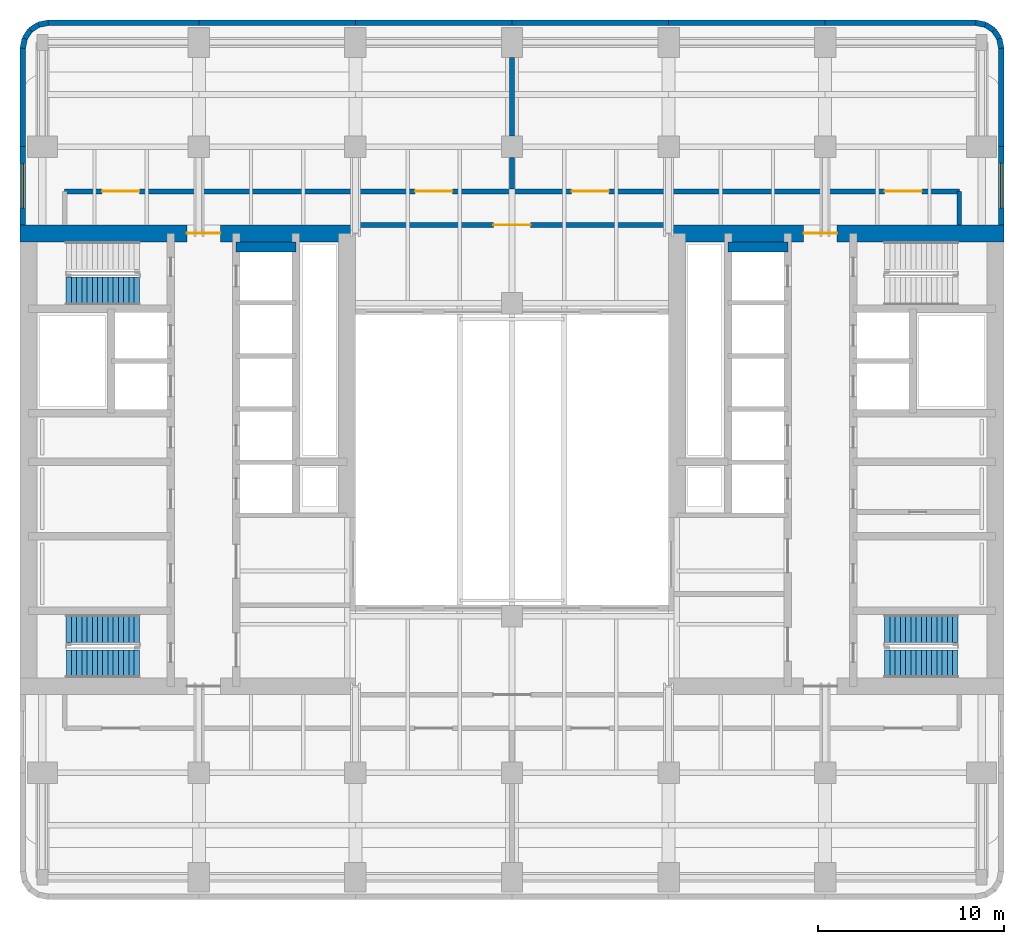
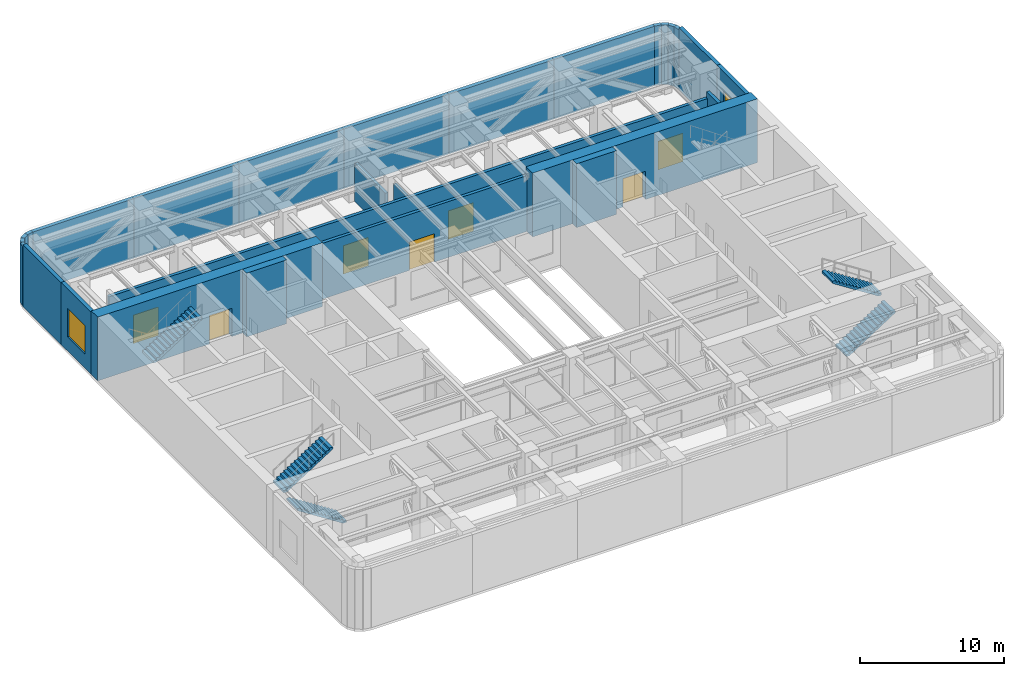
# One storey, part 6 of 10: 27 walls, 7 doors, 5 stair flights, 2 windows, 9 openings, 3 elements without a shape of their own.
"""IFC4 building model written with IfcOpenShell, lengths in metres."""

from ifc_helpers import new_model, si_unit, direction, frame, frame_2d, origin, place, context, subcontext, project, spatial, polyline, rectangle, outline, extrude, material, layer, layer_set, type_object, element, fill, aggregate, save


model = new_model("IFC4")

# Units and contexts
model_context = context("Model", 3, precision=1e-05, world=origin(), true_north=direction((0.0, 1.0)))
body_context = subcontext(model_context, "Body", "Model", "MODEL_VIEW")
ifc_project = project(units=[si_unit("LENGTHUNIT", "METRE"), si_unit("AREAUNIT", "SQUARE_METRE"), si_unit("VOLUMEUNIT", "CUBIC_METRE"), si_unit("PLANEANGLEUNIT", "RADIAN"), si_unit("MASSUNIT", "GRAM", prefix="KILO")], contexts=[model_context])

# Site, building, storey
site_placement = place(None, origin())
site = spatial("IfcSite", under=ifc_project, at=site_placement, CompositionType="ELEMENT")
building_placement = place(site_placement, origin())
building = spatial("IfcBuilding", under=site, at=building_placement, Name="Claustro Exchange Tower", CompositionType="ELEMENT")
storey_placement = place(building_placement, frame((0.0, 0.0, 168.0)))
storey = spatial("IfcBuildingStorey", under=building, at=storey_placement, Name="L38", CompositionType="ELEMENT", Elevation=168.0)

# Wall, openings, doors
ifc_material_1 = material(Name="Concrete blockwork, rendered", Category="masonry")
ifc_layer_1 = layer(ifc_material_1, 0.25)
ifc_layer_set_1 = layer_set([ifc_layer_1], Name="Concrete blockwork, rendered")
wall_type_1 = type_object("IfcWallType", Name="P4 250 blockwork wall", PredefinedType="PARTITIONING", material=ifc_layer_set_1)
wall_1_placement = place(storey_placement, frame((1.199951171875, 39.60009765625, 0.0), z_axis=(0.0, 0.0, 1.0), x_axis=(1.0, 0.0, 0.0)))
wall_1 = element("IfcWall", 1, at=wall_1_placement, inside=storey, type_object=wall_type_1, Name="Partition P4 L38", PredefinedType="PARTITIONING", context=body_context, shape_type="SweptSolid", body=[
    extrude(rectangle(XDim=48.0, YDim=0.25, at=frame_2d((24.0, 0.0))), origin(), (0.0, 0.0, 1.0), 4.72509765625),
])
opening_1_placement = place(wall_1_placement, frame((2.0, 0.0, 0.0)))
opening_1 = element("IfcOpeningElement", 2, at=opening_1_placement, cuts=wall_1, Name="Opening D9", PredefinedType="OPENING", context=body_context, shape_type="SweptSolid", body=[
    extrude(rectangle(XDim=2.0, YDim=2.39990234375, at=frame_2d((1.0, 1.199951171875))), frame((0.0, 0.135009765625, 0.0), z_axis=(0.0, -1.0, 0.0), x_axis=(1.0, 0.0, 0.0)), (0.0, 0.0, 1.0), 0.27001953125),
])
opening_2_placement = place(wall_1_placement, frame((18.800048828125, 0.0, 0.0)))
opening_2 = element("IfcOpeningElement", 3, at=opening_2_placement, cuts=wall_1, Name="Opening D9", PredefinedType="OPENING", context=body_context, shape_type="SweptSolid", body=[
    extrude(rectangle(XDim=2.0, YDim=2.39990234375, at=frame_2d((1.0, 1.199951171875))), frame((0.0, 0.135009765625, 0.0), z_axis=(0.0, -1.0, 0.0), x_axis=(1.0, 0.0, 0.0)), (0.0, 0.0, 1.0), 0.27001953125),
])
opening_3_placement = place(wall_1_placement, frame((27.199951171875, 0.0, 0.0)))
opening_3 = element("IfcOpeningElement", 4, at=opening_3_placement, cuts=wall_1, Name="Opening D9", PredefinedType="OPENING", context=body_context, shape_type="SweptSolid", body=[
    extrude(rectangle(XDim=2.0, YDim=2.39990234375, at=frame_2d((1.0, 1.199951171875))), frame((0.0, 0.135009765625, 0.0), z_axis=(0.0, -1.0, 0.0), x_axis=(1.0, 0.0, 0.0)), (0.0, 0.0, 1.0), 0.27001953125),
])
opening_4_placement = place(wall_1_placement, frame((44.0, 0.0, 0.0)))
opening_4 = element("IfcOpeningElement", 5, at=opening_4_placement, cuts=wall_1, Name="Opening D9", PredefinedType="OPENING", context=body_context, shape_type="SweptSolid", body=[
    extrude(rectangle(XDim=2.0, YDim=2.39990234375, at=frame_2d((1.0, 1.199951171875))), frame((0.0, 0.135009765625, 0.0), z_axis=(0.0, -1.0, 0.0), x_axis=(1.0, 0.0, 0.0)), (0.0, 0.0, 1.0), 0.27001953125),
])
ifc_material_2 = material(Name="Steel fire door, painted", Category="steel")
door_type_1 = type_object("IfcDoorType", Name="D9 2000 x 2400 plant room double door", OperationType="DOUBLE_DOOR_SINGLE_SWING", PredefinedType="DOOR", material=ifc_material_2)
door_1_placement = place(opening_1_placement, origin())
door_1 = element("IfcDoor", 6, at=door_1_placement, inside=storey, type_object=door_type_1, Name="Double door D9 L38", OperationType="DOUBLE_DOOR_SINGLE_SWING", OverallHeight=2.39990234375, OverallWidth=2.0, PredefinedType="DOOR", context=body_context, shape_type="SweptSolid", body=[
    extrude(rectangle(XDim=2.0, YDim=2.39990234375, at=frame_2d((1.0, 1.199951171875))), frame((0.0, 0.02490234375, 0.0), z_axis=(0.0, -1.0, 0.0), x_axis=(1.0, 0.0, 0.0)), (0.0, 0.0, 1.0), 0.050048828125),
])
fill(opening_1, door_1)
door_2_placement = place(opening_2_placement, origin())
door_2 = element("IfcDoor", 7, at=door_2_placement, inside=storey, type_object=door_type_1, Name="Double door D9 L38", OperationType="DOUBLE_DOOR_SINGLE_SWING", OverallHeight=2.39990234375, OverallWidth=2.0, PredefinedType="DOOR", context=body_context, shape_type="SweptSolid", body=[
    extrude(rectangle(XDim=2.0, YDim=2.39990234375, at=frame_2d((1.0, 1.199951171875))), frame((0.0, 0.02490234375, 0.0), z_axis=(0.0, -1.0, 0.0), x_axis=(1.0, 0.0, 0.0)), (0.0, 0.0, 1.0), 0.050048828125),
])
fill(opening_2, door_2)
door_3_placement = place(opening_3_placement, origin())
door_3 = element("IfcDoor", 8, at=door_3_placement, inside=storey, type_object=door_type_1, Name="Double door D9 L38", OperationType="DOUBLE_DOOR_SINGLE_SWING", OverallHeight=2.39990234375, OverallWidth=2.0, PredefinedType="DOOR", context=body_context, shape_type="SweptSolid", body=[
    extrude(rectangle(XDim=2.0, YDim=2.39990234375, at=frame_2d((1.0, 1.199951171875))), frame((0.0, 0.02490234375, 0.0), z_axis=(0.0, -1.0, 0.0), x_axis=(1.0, 0.0, 0.0)), (0.0, 0.0, 1.0), 0.050048828125),
])
fill(opening_3, door_3)
door_4_placement = place(opening_4_placement, origin())
door_4 = element("IfcDoor", 9, at=door_4_placement, inside=storey, type_object=door_type_1, Name="Double door D9 L38", OperationType="DOUBLE_DOOR_SINGLE_SWING", OverallHeight=2.39990234375, OverallWidth=2.0, PredefinedType="DOOR", context=body_context, shape_type="SweptSolid", body=[
    extrude(rectangle(XDim=2.0, YDim=2.39990234375, at=frame_2d((1.0, 1.199951171875))), frame((0.0, 0.02490234375, 0.0), z_axis=(0.0, -1.0, 0.0), x_axis=(1.0, 0.0, 0.0)), (0.0, 0.0, 1.0), 0.050048828125),
])
fill(opening_4, door_4)

# Walls
wall_2_placement = place(storey_placement, frame((49.199951171875, 37.800048828125, 0.0), z_axis=(0.0, 0.0, 1.0), x_axis=(0.0, 1.0, 0.0)))
element("IfcWall", 10, at=wall_2_placement, inside=storey, type_object=wall_type_1, Name="Partition P4 L38", PredefinedType="PARTITIONING", context=body_context, shape_type="SweptSolid", body=[
    extrude(rectangle(XDim=1.800048828125, YDim=0.25, at=frame_2d((0.89990234375, 0.0))), origin(), (0.0, 0.0, 1.0), 5.25),
])
wall_3_placement = place(storey_placement, frame((25.199951171875, 39.72412109375, 0.0), z_axis=(0.0, 0.0, 1.0), x_axis=(0.0, 1.0, 0.0)))
element("IfcWall", 11, at=wall_3_placement, inside=storey, type_object=wall_type_1, Name="Partition P4 L38", PredefinedType="PARTITIONING", context=body_context, shape_type="SweptSolid", body=[
    extrude(rectangle(XDim=1.701904296875, YDim=0.25, at=frame_2d((0.85107421875, 0.0))), origin(), (0.0, 0.0, 1.0), 4.75),
])
wall_4_placement = place(storey_placement, frame((25.199951171875, 42.573974609375, 0.0), z_axis=(0.0, 0.0, 1.0), x_axis=(0.0, 1.0, 0.0)))
element("IfcWall", 12, at=wall_4_placement, inside=storey, type_object=wall_type_1, Name="Partition P4 L38", PredefinedType="PARTITIONING", context=body_context, shape_type="SweptSolid", body=[
    extrude(rectangle(XDim=4.22705078125, YDim=0.25, at=frame_2d((2.113525390625, 0.0))), origin(), (0.0, 0.0, 1.0), 3.239990234375),
])

# Wall, opening, door
wall_5_placement = place(storey_placement, frame((16.798095703125, 37.800048828125, 0.0), z_axis=(0.0, 0.0, 1.0), x_axis=(1.0, 0.0, 0.0)))
wall_5 = element("IfcWall", 13, at=wall_5_placement, inside=storey, type_object=wall_type_1, Name="Partition P4 L38", PredefinedType="PARTITIONING", context=body_context, shape_type="SweptSolid", body=[
    extrude(rectangle(XDim=16.803955078125, YDim=0.25, at=frame_2d((8.40185546875, 0.0))), origin(), (0.0, 0.0, 1.0), 4.72509765625),
])
opening_5_placement = place(wall_5_placement, frame((7.402099609375, 0.0, 0.0)))
opening_5 = element("IfcOpeningElement", 14, at=opening_5_placement, cuts=wall_5, Name="Opening D9", PredefinedType="OPENING", context=body_context, shape_type="SweptSolid", body=[
    extrude(rectangle(XDim=2.0, YDim=2.39990234375, at=frame_2d((1.0, 1.199951171875))), frame((0.0, 0.135009765625, 0.0), z_axis=(0.0, -1.0, 0.0), x_axis=(1.0, 0.0, 0.0)), (0.0, 0.0, 1.0), 0.27001953125),
])
door_5_placement = place(opening_5_placement, origin())
door_5 = element("IfcDoor", 15, at=door_5_placement, inside=storey, type_object=door_type_1, Name="Double door D9 L38", OperationType="DOUBLE_DOOR_SINGLE_SWING", OverallHeight=2.39990234375, OverallWidth=2.0, PredefinedType="DOOR", context=body_context, shape_type="SweptSolid", body=[
    extrude(rectangle(XDim=2.0, YDim=2.39990234375, at=frame_2d((1.0, 1.199951171875))), frame((0.0, 0.02490234375, 0.0), z_axis=(0.0, -1.0, 0.0), x_axis=(1.0, 0.0, 0.0)), (0.0, 0.0, 1.0), 0.050048828125),
])
fill(opening_5, door_5)

# Wall, opening, window
ifc_material_3 = material(Name="Concrete HA-40 (C40/50), precast, white cement, acid-etched", Category="concrete")
ifc_layer_2 = layer(ifc_material_3, 0.300048828125)
ifc_layer_set_2 = layer_set([ifc_layer_2], Name="Concrete HA-40 (C40/50), precast, white cement, acid-etched")
wall_type_2 = type_object("IfcWallType", Name="PC1 300 precast concrete pier panel", PredefinedType="SOLIDWALL", material=ifc_layer_set_2)
wall_6_placement = place(storey_placement, frame((-1.050048828125, 37.800048828125, 0.0), z_axis=(0.0, 0.0, 1.0), x_axis=(0.0, 1.0, 0.0)))
wall_6 = element("IfcWall", 16, at=wall_6_placement, inside=storey, type_object=wall_type_2, Name="Precast pier panel PC1 L38", PredefinedType="SOLIDWALL", context=body_context, shape_type="SweptSolid", body=[
    extrude(rectangle(XDim=4.199951171875, YDim=0.300048828125, at=frame_2d((2.10009765625, 0.0))), origin(), (0.0, 0.0, 1.0), 5.25),
])
opening_6_placement = place(wall_6_placement, frame((0.89990234375, 0.0, 1.199951171875)))
opening_6 = element("IfcOpeningElement", 17, at=opening_6_placement, cuts=wall_6, Name="Opening L2", PredefinedType="OPENING", context=body_context, shape_type="SweptSolid", body=[
    extrude(rectangle(XDim=2.39990234375, YDim=2.39990234375, at=frame_2d((1.199951171875, 1.199951171875))), frame((0.0, 0.159912109375, 0.0), z_axis=(0.0, -1.0, 0.0), x_axis=(1.0, 0.0, 0.0)), (0.0, 0.0, 1.0), 0.320068359375),
])
ifc_material_4 = material(Name="Aluminium louvre blades", Category="aluminium")
window_type = type_object("IfcWindowType", Name="L2 2400 x 2400 plant louvre", PartitioningType="SINGLE_PANEL", PredefinedType="USERDEFINED", material=ifc_material_4)
window_1_placement = place(opening_6_placement, origin())
window_1 = element("IfcWindow", 18, at=window_1_placement, inside=storey, type_object=window_type, Name="Plant louvre L2 L38", ObjectType="LOUVRE", OverallHeight=2.39990234375, OverallWidth=2.39990234375, PartitioningType="SINGLE_PANEL", PredefinedType="USERDEFINED", context=body_context, shape_type="SweptSolid", body=[
    extrude(rectangle(XDim=2.39990234375, YDim=2.39990234375, at=frame_2d((1.199951171875, 1.199951171875))), frame((0.0, 0.030029296875, 0.0), z_axis=(0.0, -1.0, 0.0), x_axis=(1.0, 0.0, 0.0)), (0.0, 0.0, 1.0), 0.06005859375),
])
fill(opening_6, window_1)

# Walls
wall_7_placement = place(storey_placement, frame((-1.050048828125, 42.0, 0.0), z_axis=(0.0, 0.0, 1.0), x_axis=(0.0, 1.0, 0.0)))
element("IfcWall", 19, at=wall_7_placement, inside=storey, type_object=wall_type_2, Name="Precast pier panel PC1 L38", PredefinedType="SOLIDWALL", context=body_context, shape_type="SweptSolid", body=[
    extrude(rectangle(XDim=5.28515625, YDim=0.300048828125, at=frame_2d((2.642578125, 0.0))), origin(), (0.0, 0.0, 1.0), 5.239990234375),
])
wall_8_placement = place(storey_placement, frame((-1.050048828125, 47.28515625, 0.0), z_axis=(0.0, 0.0, 1.0), x_axis=(0.195073962632, 0.980788534345, 0.0)))
element("IfcWall", 20, at=wall_8_placement, inside=storey, type_object=wall_type_2, Name="Precast pier panel PC1 L38", PredefinedType="SOLIDWALL", context=body_context, shape_type="SweptSolid", body=[
    extrude(rectangle(XDim=0.540771484375, YDim=0.300048828125, at=frame_2d((0.2705078125, 0.0))), origin(), (0.0, 0.0, 1.0), 5.0400390625),
])
wall_9_placement = place(storey_placement, frame((-0.944580078125, 47.8154296875, 0.0), z_axis=(0.0, 0.0, 1.0), x_axis=(0.55534295404, 0.831621430339, 0.0)))
element("IfcWall", 21, at=wall_9_placement, inside=storey, type_object=wall_type_2, Name="Precast pier panel PC1 L38", PredefinedType="SOLIDWALL", context=body_context, shape_type="SweptSolid", body=[
    extrude(rectangle(XDim=0.52587890625, YDim=0.300048828125, at=frame_2d((0.262939453125, 0.0))), origin(), (0.0, 0.0, 1.0), 5.0400390625),
])
wall_10_placement = place(storey_placement, frame((-0.652587890625, 48.252685546875, 0.0), z_axis=(0.0, 0.0, 1.0), x_axis=(0.831692711774, 0.555236195849, 0.0)))
element("IfcWall", 22, at=wall_10_placement, inside=storey, type_object=wall_type_2, Name="Precast pier panel PC1 L38", PredefinedType="SOLIDWALL", context=body_context, shape_type="SweptSolid", body=[
    extrude(rectangle(XDim=0.525390625, YDim=0.300048828125, at=frame_2d((0.2626953125, 0.0))), origin(), (0.0, 0.0, 1.0), 5.0400390625),
])
wall_11_placement = place(storey_placement, frame((-0.215576171875, 48.54443359375, 0.0), z_axis=(0.0, 0.0, 1.0), x_axis=(0.980788534345, 0.195073962632, 0.0)))
element("IfcWall", 23, at=wall_11_placement, inside=storey, type_object=wall_type_2, Name="Precast pier panel PC1 L38", PredefinedType="SOLIDWALL", context=body_context, shape_type="SweptSolid", body=[
    extrude(rectangle(XDim=0.540771484375, YDim=0.300048828125, at=frame_2d((0.2705078125, 0.0))), origin(), (0.0, 0.0, 1.0), 5.0400390625),
])
wall_12_placement = place(storey_placement, frame((0.314697265625, 48.64990234375, 0.0), z_axis=(0.0, 0.0, 1.0), x_axis=(1.0, 0.0, 0.0)))
element("IfcWall", 24, at=wall_12_placement, inside=storey, type_object=wall_type_2, Name="Precast pier panel PC1 L38", PredefinedType="SOLIDWALL", context=body_context, shape_type="SweptSolid", body=[
    extrude(rectangle(XDim=8.085205078125, YDim=0.300048828125, at=frame_2d((4.04248046875, 0.0))), origin(), (0.0, 0.0, 1.0), 5.0400390625),
])
wall_13_placement = place(storey_placement, frame((8.39990234375, 48.64990234375, 0.0), z_axis=(0.0, 0.0, 1.0), x_axis=(1.0, 0.0, 0.0)))
element("IfcWall", 25, at=wall_13_placement, inside=storey, type_object=wall_type_2, Name="Precast pier panel PC1 L38", PredefinedType="SOLIDWALL", context=body_context, shape_type="SweptSolid", body=[
    extrude(rectangle(XDim=8.400146484375, YDim=0.300048828125, at=frame_2d((4.2001953125, 0.0))), origin(), (0.0, 0.0, 1.0), 5.0400390625),
])
wall_14_placement = place(storey_placement, frame((16.800048828125, 48.64990234375, 0.0), z_axis=(0.0, 0.0, 1.0), x_axis=(1.0, 0.0, 0.0)))
element("IfcWall", 26, at=wall_14_placement, inside=storey, type_object=wall_type_2, Name="Precast pier panel PC1 L38", PredefinedType="SOLIDWALL", context=body_context, shape_type="SweptSolid", body=[
    extrude(rectangle(XDim=8.39990234375, YDim=0.300048828125, at=frame_2d((4.199951171875, 0.0))), origin(), (0.0, 0.0, 1.0), 5.0400390625),
])
wall_15_placement = place(storey_placement, frame((25.199951171875, 48.64990234375, 0.0), z_axis=(0.0, 0.0, 1.0), x_axis=(1.0, 0.0, 0.0)))
element("IfcWall", 27, at=wall_15_placement, inside=storey, type_object=wall_type_2, Name="Precast pier panel PC1 L38", PredefinedType="SOLIDWALL", context=body_context, shape_type="SweptSolid", body=[
    extrude(rectangle(XDim=8.400146484375, YDim=0.300048828125, at=frame_2d((4.2001953125, 0.0))), origin(), (0.0, 0.0, 1.0), 5.0400390625),
])
wall_16_placement = place(storey_placement, frame((33.60009765625, 48.64990234375, 0.0), z_axis=(0.0, 0.0, 1.0), x_axis=(1.0, 0.0, 0.0)))
element("IfcWall", 28, at=wall_16_placement, inside=storey, type_object=wall_type_2, Name="Precast pier panel PC1 L38", PredefinedType="SOLIDWALL", context=body_context, shape_type="SweptSolid", body=[
    extrude(rectangle(XDim=8.39990234375, YDim=0.300048828125, at=frame_2d((4.199951171875, 0.0))), origin(), (0.0, 0.0, 1.0), 5.0400390625),
])
wall_17_placement = place(storey_placement, frame((42.0, 48.64990234375, 0.0), z_axis=(0.0, 0.0, 1.0), x_axis=(1.0, 0.0, 0.0)))
element("IfcWall", 29, at=wall_17_placement, inside=storey, type_object=wall_type_2, Name="Precast pier panel PC1 L38", PredefinedType="SOLIDWALL", context=body_context, shape_type="SweptSolid", body=[
    extrude(rectangle(XDim=8.085205078125, YDim=0.300048828125, at=frame_2d((4.04248046875, 0.0))), origin(), (0.0, 0.0, 1.0), 5.0400390625),
])
wall_18_placement = place(storey_placement, frame((50.085205078125, 48.64990234375, 0.0), z_axis=(0.0, 0.0, 1.0), x_axis=(0.980788534345, -0.195073962632, 0.0)))
element("IfcWall", 30, at=wall_18_placement, inside=storey, type_object=wall_type_2, Name="Precast pier panel PC1 L38", PredefinedType="SOLIDWALL", context=body_context, shape_type="SweptSolid", body=[
    extrude(rectangle(XDim=0.540771484375, YDim=0.300048828125, at=frame_2d((0.2705078125, 0.0))), origin(), (0.0, 0.0, 1.0), 5.0400390625),
])
wall_19_placement = place(storey_placement, frame((50.615478515625, 48.54443359375, 0.0), z_axis=(0.0, 0.0, 1.0), x_axis=(0.831692711774, -0.555236195849, 0.0)))
element("IfcWall", 31, at=wall_19_placement, inside=storey, type_object=wall_type_2, Name="Precast pier panel PC1 L38", PredefinedType="SOLIDWALL", context=body_context, shape_type="SweptSolid", body=[
    extrude(rectangle(XDim=0.525390625, YDim=0.300048828125, at=frame_2d((0.2626953125, 0.0))), origin(), (0.0, 0.0, 1.0), 5.0400390625),
])
wall_20_placement = place(storey_placement, frame((51.052490234375, 48.252685546875, 0.0), z_axis=(0.0, 0.0, 1.0), x_axis=(0.55534295404, -0.831621430339, 0.0)))
element("IfcWall", 32, at=wall_20_placement, inside=storey, type_object=wall_type_2, Name="Precast pier panel PC1 L38", PredefinedType="SOLIDWALL", context=body_context, shape_type="SweptSolid", body=[
    extrude(rectangle(XDim=0.52587890625, YDim=0.300048828125, at=frame_2d((0.262939453125, 0.0))), origin(), (0.0, 0.0, 1.0), 5.0400390625),
])
wall_21_placement = place(storey_placement, frame((51.344482421875, 47.8154296875, 0.0), z_axis=(0.0, 0.0, 1.0), x_axis=(0.195073962632, -0.980788534345, 0.0)))
element("IfcWall", 33, at=wall_21_placement, inside=storey, type_object=wall_type_2, Name="Precast pier panel PC1 L38", PredefinedType="SOLIDWALL", context=body_context, shape_type="SweptSolid", body=[
    extrude(rectangle(XDim=0.540771484375, YDim=0.300048828125, at=frame_2d((0.2705078125, 0.0))), origin(), (0.0, 0.0, 1.0), 5.0400390625),
])
wall_22_placement = place(storey_placement, frame((51.449951171875, 47.28515625, 0.0), z_axis=(0.0, 0.0, 1.0), x_axis=(0.0, -1.0, 0.0)))
element("IfcWall", 34, at=wall_22_placement, inside=storey, type_object=wall_type_2, Name="Precast pier panel PC1 L38", PredefinedType="SOLIDWALL", context=body_context, shape_type="SweptSolid", body=[
    extrude(rectangle(XDim=5.28515625, YDim=0.300048828125, at=frame_2d((2.642578125, 0.0))), origin(), (0.0, 0.0, 1.0), 5.239990234375),
])

# Wall, opening, window
wall_23_placement = place(storey_placement, frame((51.449951171875, 42.0, 0.0), z_axis=(0.0, 0.0, 1.0), x_axis=(0.0, -1.0, 0.0)))
wall_23 = element("IfcWall", 35, at=wall_23_placement, inside=storey, type_object=wall_type_2, Name="Precast pier panel PC1 L38", PredefinedType="SOLIDWALL", context=body_context, shape_type="SweptSolid", body=[
    extrude(rectangle(XDim=4.199951171875, YDim=0.300048828125, at=frame_2d((2.10009765625, 0.0))), origin(), (0.0, 0.0, 1.0), 5.25),
])
opening_7_placement = place(wall_23_placement, frame((0.89990234375, 0.0, 1.199951171875)))
opening_7 = element("IfcOpeningElement", 36, at=opening_7_placement, cuts=wall_23, Name="Opening L2", PredefinedType="OPENING", context=body_context, shape_type="SweptSolid", body=[
    extrude(rectangle(XDim=2.39990234375, YDim=2.39990234375, at=frame_2d((1.199951171875, 1.199951171875))), frame((0.0, 0.159912109375, 0.0), z_axis=(0.0, -1.0, 0.0), x_axis=(1.0, 0.0, 0.0)), (0.0, 0.0, 1.0), 0.320068359375),
])
window_2_placement = place(opening_7_placement, origin())
window_2 = element("IfcWindow", 37, at=window_2_placement, inside=storey, type_object=window_type, Name="Plant louvre L2 L38", ObjectType="LOUVRE", OverallHeight=2.39990234375, OverallWidth=2.39990234375, PartitioningType="SINGLE_PANEL", PredefinedType="USERDEFINED", context=body_context, shape_type="SweptSolid", body=[
    extrude(rectangle(XDim=2.39990234375, YDim=2.39990234375, at=frame_2d((1.199951171875, 1.199951171875))), frame((0.0, 0.030029296875, 0.0), z_axis=(0.0, -1.0, 0.0), x_axis=(1.0, 0.0, 0.0)), (0.0, 0.0, 1.0), 0.06005859375),
])
fill(opening_7, window_2)

# Wall, opening, door
ifc_material_5 = material(Name="Concrete HA-70 (C70/85)", Category="concrete")
ifc_layer_3 = layer(ifc_material_5, 0.89990234375)
ifc_layer_set_3 = layer_set([ifc_layer_3], Name="Concrete HA-70 (C70/85)")
wall_type_3 = type_object("IfcWallType", Name="SW1 900 core shear wall", PredefinedType="SHEAR", material=ifc_layer_set_3)
wall_24_placement = place(storey_placement, frame((-1.199951171875, 37.35009765625, 0.0), z_axis=(0.0, 0.0, 1.0), x_axis=(1.0, 0.0, 0.0)))
wall_24 = element("IfcWall", 38, at=wall_24_placement, inside=storey, type_object=wall_type_3, Name="Core wall SW1 W core N face L38", PredefinedType="SHEAR", context=body_context, shape_type="SweptSolid", body=[
    extrude(rectangle(XDim=18.0, YDim=0.89990234375, at=frame_2d((9.0, 0.0))), origin(), (0.0, 0.0, 1.0), 5.39990234375),
])
opening_8_placement = place(wall_24_placement, frame((8.949951171875, 0.0, 0.0)))
opening_8 = element("IfcOpeningElement", 39, at=opening_8_placement, cuts=wall_24, Name="Opening D3", PredefinedType="OPENING", context=body_context, shape_type="SweptSolid", body=[
    extrude(rectangle(XDim=1.800048828125, YDim=2.39990234375, at=frame_2d((0.89990234375, 1.199951171875))), frame((0.0, 0.4599609375, 0.0), z_axis=(0.0, -1.0, 0.0), x_axis=(1.0, 0.0, 0.0)), (0.0, 0.0, 1.0), 0.919921875),
])
ifc_material_6 = material(Name="Steel fire door, painted", Category="steel")
door_type_2 = type_object("IfcDoorType", Name="D3 1800 x 2400 fire-rated lobby double door", OperationType="DOUBLE_DOOR_SINGLE_SWING", PredefinedType="DOOR", material=ifc_material_6)
door_6_placement = place(opening_8_placement, frame((1.800048828125, 0.0, 0.0), z_axis=(0.0, 0.0, 1.0), x_axis=(-1.0, 0.0, 0.0)))
door_6 = element("IfcDoor", 40, at=door_6_placement, inside=storey, type_object=door_type_2, Name="Lift lobby door D3 L38", OperationType="DOUBLE_DOOR_SINGLE_SWING", OverallHeight=2.39990234375, OverallWidth=1.800048828125, PredefinedType="DOOR", context=body_context, shape_type="SweptSolid", body=[
    extrude(rectangle(XDim=1.800048828125, YDim=2.39990234375, at=frame_2d((0.89990234375, 1.199951171875))), frame((0.0, 0.02490234375, 0.0), z_axis=(0.0, -1.0, 0.0), x_axis=(1.0, 0.0, 0.0)), (0.0, 0.0, 1.0), 0.050048828125),
])
fill(opening_8, door_6)

wall_25_placement = place(storey_placement, frame((33.60009765625, 37.35009765625, 0.0), z_axis=(0.0, 0.0, 1.0), x_axis=(1.0, 0.0, 0.0)))
wall_25 = element("IfcWall", 41, at=wall_25_placement, inside=storey, type_object=wall_type_3, Name="Core wall SW1 E core N face L38", PredefinedType="SHEAR", context=body_context, shape_type="SweptSolid", body=[
    extrude(rectangle(XDim=18.0, YDim=0.89990234375, at=frame_2d((9.0, 0.0))), origin(), (0.0, 0.0, 1.0), 5.39990234375),
])
opening_9_placement = place(wall_25_placement, frame((7.25, 0.0, 0.0)))
opening_9 = element("IfcOpeningElement", 42, at=opening_9_placement, cuts=wall_25, Name="Opening D3", PredefinedType="OPENING", context=body_context, shape_type="SweptSolid", body=[
    extrude(rectangle(XDim=1.800048828125, YDim=2.39990234375, at=frame_2d((0.89990234375, 1.199951171875))), frame((0.0, 0.4599609375, 0.0), z_axis=(0.0, -1.0, 0.0), x_axis=(1.0, 0.0, 0.0)), (0.0, 0.0, 1.0), 0.919921875),
])
door_7_placement = place(opening_9_placement, frame((1.800048828125, 0.0, 0.0), z_axis=(0.0, 0.0, 1.0), x_axis=(-1.0, 0.0, 0.0)))
door_7 = element("IfcDoor", 43, at=door_7_placement, inside=storey, type_object=door_type_2, Name="Lift lobby door D3 L38", OperationType="DOUBLE_DOOR_SINGLE_SWING", OverallHeight=2.39990234375, OverallWidth=1.800048828125, PredefinedType="DOOR", context=body_context, shape_type="SweptSolid", body=[
    extrude(rectangle(XDim=1.800048828125, YDim=2.39990234375, at=frame_2d((0.89990234375, 1.199951171875))), frame((0.0, 0.02490234375, 0.0), z_axis=(0.0, -1.0, 0.0), x_axis=(1.0, 0.0, 0.0)), (0.0, 0.0, 1.0), 0.050048828125),
])
fill(opening_9, door_7)

# Walls
ifc_material_7 = material(Name="Concrete HA-50 (C50/60)", Category="concrete")
ifc_layer_4 = layer(ifc_material_7, 0.550048828125)
ifc_layer_set_4 = layer_set([ifc_layer_4], Name="Concrete HA-50 (C50/60)")
wall_type_4 = type_object("IfcWallType", Name="SW6 550 lift shaft end wall", PredefinedType="SHEAR", material=ifc_layer_set_4)
wall_26_placement = place(storey_placement, frame((10.39990234375, 36.625, 0.0), z_axis=(0.0, 0.0, 1.0), x_axis=(1.0, 0.0, 0.0)))
element("IfcWall", 44, at=wall_26_placement, inside=storey, type_object=wall_type_4, Name="Lift shaft wall W core L38", PredefinedType="SHEAR", context=body_context, shape_type="SweptSolid", body=[
    extrude(rectangle(XDim=3.2001953125, YDim=0.550048828125, at=frame_2d((1.60009765625, 0.0))), origin(), (0.0, 0.0, 1.0), 5.39990234375),
])
wall_27_placement = place(storey_placement, frame((40.0, 36.625, 0.0), z_axis=(0.0, 0.0, 1.0), x_axis=(-1.0, 0.0, 0.0)))
element("IfcWall", 45, at=wall_27_placement, inside=storey, type_object=wall_type_4, Name="Lift shaft wall E core L38", PredefinedType="SHEAR", context=body_context, shape_type="SweptSolid", body=[
    extrude(rectangle(XDim=3.199951171875, YDim=0.550048828125, at=frame_2d((1.60009765625, 0.0))), origin(), (0.0, 0.0, 1.0), 5.39990234375),
])

# Stair, stair flights
ifc_material_8 = material(Name="Concrete HA-30 (C30/37), precast", Category="concrete")
stair_type = type_object("IfcStairType", Name="ST3 half-turn stair, 30 risers of 180", PredefinedType="HALF_TURN_STAIR", material=ifc_material_8)
stair_1_placement = place(storey_placement, origin())
stair_1 = element("IfcStair", 46, at=stair_1_placement, inside=storey, type_object=stair_type, Name="Stair STWA L38", PredefinedType="HALF_TURN_STAIR")
ifc_material_9 = material(Name="Concrete HA-30 (C30/37), precast", Category="concrete")
stair_flight_type = type_object("IfcStairFlightType", Name="SF15 straight flight, 15 risers of 180, 1500 wide", PredefinedType="STRAIGHT", material=ifc_material_9)
stair_flight_1_placement = place(storey_placement, frame((5.199951171875, 14.25, 0.0), z_axis=(0.0, 0.0, 1.0), x_axis=(-1.0, 0.0, 0.0)))
stair_flight_1 = element("IfcStairFlight", 47, at=stair_flight_1_placement, type_object=stair_flight_type, Name="STWA flight 1", NumberOfRisers=15, NumberOfTreads=14, PredefinedType="STRAIGHT", RiserHeight=0.18, TreadLength=0.28, context=body_context, shape_type="SweptSolid", body=[
    extrude(outline(polyline([(0.0, 0.0), (0.0, 0.179931640625), (0.280029296875, 0.179931640625), (0.280029296875, 0.360107421875), (0.56005859375, 0.360107421875), (0.56005859375, 0.5400390625), (0.840087890625, 0.5400390625), (0.840087890625, 0.719970703125), (1.1201171875, 0.719970703125), (1.1201171875, 0.89990234375), (1.39990234375, 0.89990234375), (1.39990234375, 1.080078125), (1.679931640625, 1.080078125), (1.679931640625, 1.260009765625), (1.9599609375, 1.260009765625), (1.9599609375, 1.43994140625), (2.239990234375, 1.43994140625), (2.239990234375, 1.6201171875), (2.52001953125, 1.6201171875), (2.52001953125, 1.800048828125), (2.800048828125, 1.800048828125), (2.800048828125, 1.97998046875), (3.080078125, 1.97998046875), (3.080078125, 2.159912109375), (3.360107421875, 2.159912109375), (3.360107421875, 2.340087890625), (3.639892578125, 2.340087890625), (3.639892578125, 2.52001953125), (3.919921875, 2.52001953125), (3.919921875, 2.699951171875), (3.919921875, 2.341796875), (0.277099609375, 0.0), (0.0, 0.0)])), frame((0.0, 0.75, 0.0), z_axis=(0.0, -1.0, 0.0), x_axis=(1.0, 0.0, 0.0)), (0.0, 0.0, 1.0), 1.5),
])
stair_flight_2_placement = place(storey_placement, frame((1.280029296875, 16.14990234375, 2.699951171875), z_axis=(0.0, 0.0, 1.0), x_axis=(1.0, 0.0, 0.0)))
stair_flight_2 = element("IfcStairFlight", 48, at=stair_flight_2_placement, type_object=stair_flight_type, Name="STWA flight 2", NumberOfRisers=15, NumberOfTreads=14, PredefinedType="STRAIGHT", RiserHeight=0.18, TreadLength=0.28, context=body_context, shape_type="SweptSolid", body=[
    extrude(outline(polyline([(0.0, 0.0), (0.0, 0.179931640625), (0.280029296875, 0.179931640625), (0.280029296875, 0.360107421875), (0.56005859375, 0.360107421875), (0.56005859375, 0.5400390625), (0.840087890625, 0.5400390625), (0.840087890625, 0.719970703125), (1.1201171875, 0.719970703125), (1.1201171875, 0.89990234375), (1.39990234375, 0.89990234375), (1.39990234375, 1.080078125), (1.679931640625, 1.080078125), (1.679931640625, 1.260009765625), (1.9599609375, 1.260009765625), (1.9599609375, 1.43994140625), (2.239990234375, 1.43994140625), (2.239990234375, 1.6201171875), (2.52001953125, 1.6201171875), (2.52001953125, 1.800048828125), (2.800048828125, 1.800048828125), (2.800048828125, 1.97998046875), (3.080078125, 1.97998046875), (3.080078125, 2.159912109375), (3.360107421875, 2.159912109375), (3.360107421875, 2.340087890625), (3.639892578125, 2.340087890625), (3.639892578125, 2.52001953125), (3.919921875, 2.52001953125), (3.919921875, 2.699951171875), (3.919921875, 2.341796875), (0.277099609375, 0.0), (0.0, 0.0)])), frame((0.0, 0.75, 0.0), z_axis=(0.0, -1.0, 0.0), x_axis=(1.0, 0.0, 0.0)), (0.0, 0.0, 1.0), 1.5),
])
aggregate(stair_1, [stair_flight_1, stair_flight_2])

# Stair, stair flight
stair_2_placement = place(storey_placement, origin())
stair_2 = element("IfcStair", 49, at=stair_2_placement, inside=storey, type_object=stair_type, Name="Stair STWB L38", PredefinedType="HALF_TURN_STAIR")
stair_flight_3_placement = place(storey_placement, frame((1.280029296875, 34.25, 2.699951171875), z_axis=(0.0, 0.0, 1.0), x_axis=(1.0, 0.0, 0.0)))
stair_flight_3 = element("IfcStairFlight", 50, at=stair_flight_3_placement, type_object=stair_flight_type, Name="STWB flight 2", NumberOfRisers=15, NumberOfTreads=14, PredefinedType="STRAIGHT", RiserHeight=0.18, TreadLength=0.28, context=body_context, shape_type="SweptSolid", body=[
    extrude(outline(polyline([(0.0, 0.0), (0.0, 0.179931640625), (0.280029296875, 0.179931640625), (0.280029296875, 0.360107421875), (0.56005859375, 0.360107421875), (0.56005859375, 0.5400390625), (0.840087890625, 0.5400390625), (0.840087890625, 0.719970703125), (1.1201171875, 0.719970703125), (1.1201171875, 0.89990234375), (1.39990234375, 0.89990234375), (1.39990234375, 1.080078125), (1.679931640625, 1.080078125), (1.679931640625, 1.260009765625), (1.9599609375, 1.260009765625), (1.9599609375, 1.43994140625), (2.239990234375, 1.43994140625), (2.239990234375, 1.6201171875), (2.52001953125, 1.6201171875), (2.52001953125, 1.800048828125), (2.800048828125, 1.800048828125), (2.800048828125, 1.97998046875), (3.080078125, 1.97998046875), (3.080078125, 2.159912109375), (3.360107421875, 2.159912109375), (3.360107421875, 2.340087890625), (3.639892578125, 2.340087890625), (3.639892578125, 2.52001953125), (3.919921875, 2.52001953125), (3.919921875, 2.699951171875), (3.919921875, 2.341796875), (0.277099609375, 0.0), (0.0, 0.0)])), frame((0.0, 0.75, 0.0), z_axis=(0.0, -1.0, 0.0), x_axis=(1.0, 0.0, 0.0)), (0.0, 0.0, 1.0), 1.5),
])
aggregate(stair_2, [stair_flight_3])

# Stair, stair flights
stair_3_placement = place(storey_placement, origin())
stair_3 = element("IfcStair", 51, at=stair_3_placement, inside=storey, type_object=stair_type, Name="Stair STEA L38", PredefinedType="HALF_TURN_STAIR")
stair_flight_4_placement = place(storey_placement, frame((45.199951171875, 14.25, 0.0), z_axis=(0.0, 0.0, 1.0), x_axis=(1.0, 0.0, 0.0)))
stair_flight_4 = element("IfcStairFlight", 52, at=stair_flight_4_placement, type_object=stair_flight_type, Name="STEA flight 1", NumberOfRisers=15, NumberOfTreads=14, PredefinedType="STRAIGHT", RiserHeight=0.18, TreadLength=0.28, context=body_context, shape_type="SweptSolid", body=[
    extrude(outline(polyline([(0.0, 0.0), (0.0, 0.179931640625), (0.280029296875, 0.179931640625), (0.280029296875, 0.360107421875), (0.56005859375, 0.360107421875), (0.56005859375, 0.5400390625), (0.840087890625, 0.5400390625), (0.840087890625, 0.719970703125), (1.1201171875, 0.719970703125), (1.1201171875, 0.89990234375), (1.39990234375, 0.89990234375), (1.39990234375, 1.080078125), (1.679931640625, 1.080078125), (1.679931640625, 1.260009765625), (1.9599609375, 1.260009765625), (1.9599609375, 1.43994140625), (2.239990234375, 1.43994140625), (2.239990234375, 1.6201171875), (2.52001953125, 1.6201171875), (2.52001953125, 1.800048828125), (2.800048828125, 1.800048828125), (2.800048828125, 1.97998046875), (3.080078125, 1.97998046875), (3.080078125, 2.159912109375), (3.360107421875, 2.159912109375), (3.360107421875, 2.340087890625), (3.639892578125, 2.340087890625), (3.639892578125, 2.52001953125), (3.919921875, 2.52001953125), (3.919921875, 2.699951171875), (3.919921875, 2.341796875), (0.277099609375, 0.0), (0.0, 0.0)])), frame((0.0, 0.75, 0.0), z_axis=(0.0, -1.0, 0.0), x_axis=(1.0, 0.0, 0.0)), (0.0, 0.0, 1.0), 1.5),
])
stair_flight_5_placement = place(storey_placement, frame((49.1201171875, 16.14990234375, 2.699951171875), z_axis=(0.0, 0.0, 1.0), x_axis=(-1.0, 0.0, 0.0)))
stair_flight_5 = element("IfcStairFlight", 53, at=stair_flight_5_placement, type_object=stair_flight_type, Name="STEA flight 2", NumberOfRisers=15, NumberOfTreads=14, PredefinedType="STRAIGHT", RiserHeight=0.18, TreadLength=0.28, context=body_context, shape_type="SweptSolid", body=[
    extrude(outline(polyline([(0.0, 0.0), (0.0, 0.179931640625), (0.280029296875, 0.179931640625), (0.280029296875, 0.360107421875), (0.56005859375, 0.360107421875), (0.56005859375, 0.5400390625), (0.840087890625, 0.5400390625), (0.840087890625, 0.719970703125), (1.1201171875, 0.719970703125), (1.1201171875, 0.89990234375), (1.39990234375, 0.89990234375), (1.39990234375, 1.080078125), (1.679931640625, 1.080078125), (1.679931640625, 1.260009765625), (1.9599609375, 1.260009765625), (1.9599609375, 1.43994140625), (2.239990234375, 1.43994140625), (2.239990234375, 1.6201171875), (2.52001953125, 1.6201171875), (2.52001953125, 1.800048828125), (2.800048828125, 1.800048828125), (2.800048828125, 1.97998046875), (3.080078125, 1.97998046875), (3.080078125, 2.159912109375), (3.360107421875, 2.159912109375), (3.360107421875, 2.340087890625), (3.639892578125, 2.340087890625), (3.639892578125, 2.52001953125), (3.919921875, 2.52001953125), (3.919921875, 2.699951171875), (3.919921875, 2.341796875), (0.277099609375, 0.0), (0.0, 0.0)])), frame((0.0, 0.75, 0.0), z_axis=(0.0, -1.0, 0.0), x_axis=(1.0, 0.0, 0.0)), (0.0, 0.0, 1.0), 1.5),
])
aggregate(stair_3, [stair_flight_4, stair_flight_5])

save(model, "model.ifc")
